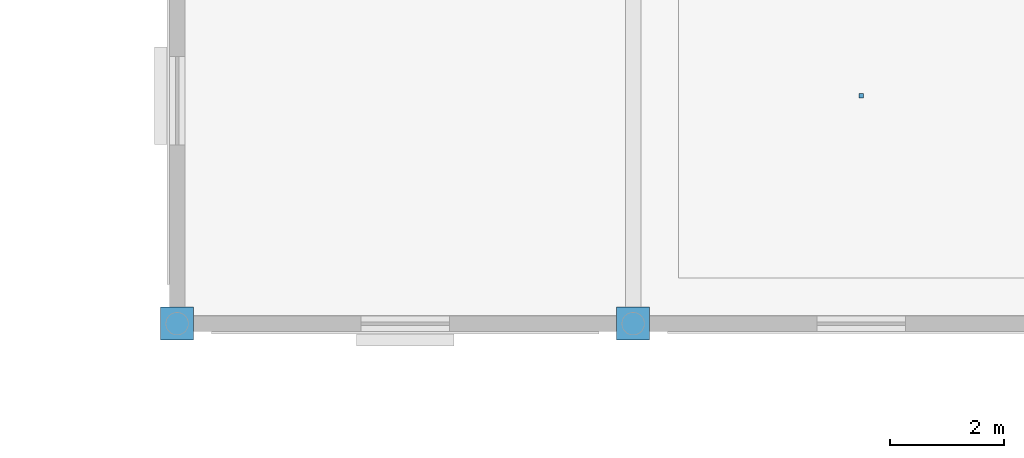
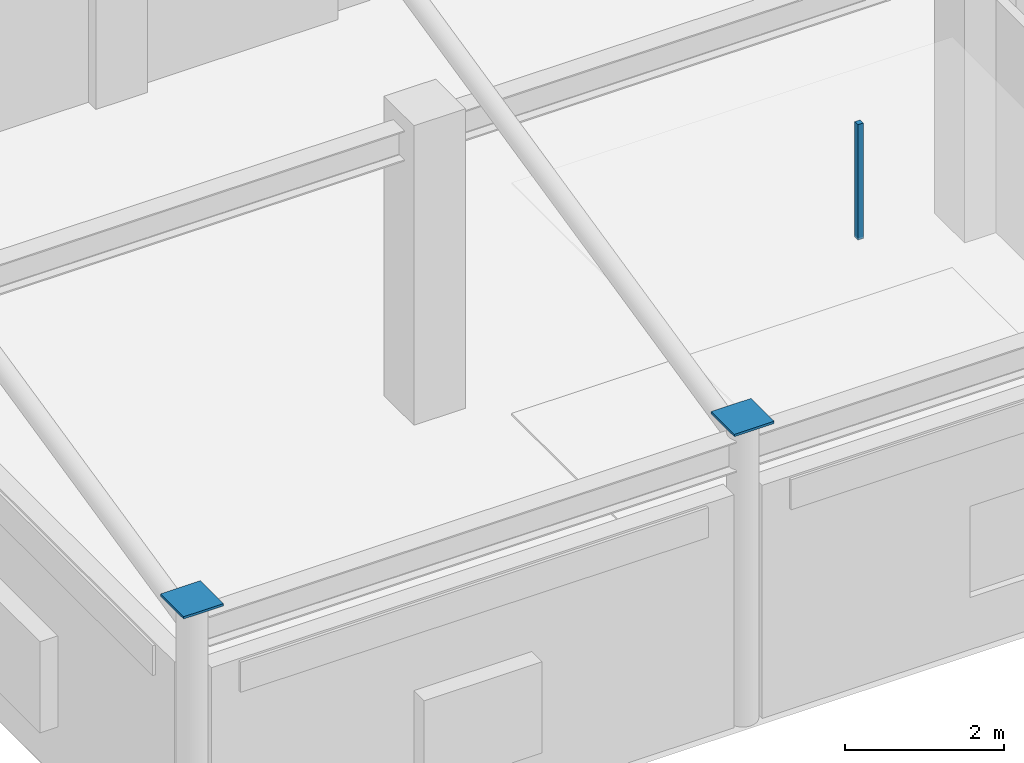
# One storey, part 14 of 16: 3 discrete accessories.
"""IFC4 building model written with IfcOpenShell, lengths in metres."""

from ifc_helpers import new_model, si_unit, direction, frame, origin, origin_2d, place, context, subcontext, project, spatial, rectangle, extrude, material, layer, layer_set, type_object, element, save


model = new_model("IFC4")

# Units and contexts
model_context = context("Model", 3, precision=1e-05, world=origin(), true_north=direction((0.0, 1.0)))
body_context = subcontext(model_context, "Body", "Model", "MODEL_VIEW")
ifc_project = project(units=[si_unit("LENGTHUNIT", "METRE"), si_unit("AREAUNIT", "SQUARE_METRE"), si_unit("VOLUMEUNIT", "CUBIC_METRE"), si_unit("PLANEANGLEUNIT", "RADIAN"), si_unit("MASSUNIT", "GRAM", prefix="KILO")], contexts=[model_context])

# Site, building, storey
site_placement = place(None, origin())
site = spatial("IfcSite", under=ifc_project, at=site_placement, CompositionType="ELEMENT")
building_placement = place(site_placement, origin())
building = spatial("IfcBuilding", under=site, at=building_placement, Name="Solmirada Galleria", CompositionType="ELEMENT")
storey_placement = place(building_placement, frame((0.0, 0.0, 32.89990234375)))
storey = spatial("IfcBuildingStorey", under=building, at=storey_placement, Name="L07", CompositionType="ELEMENT", Elevation=32.89990234375)

# Discrete accessories
ifc_material_1 = material(Name="Steel S355 / ASTM A992 Grade 50", Category="steel")
discrete_accessory_type_1 = type_object("IfcDiscreteAccessoryType", Name="ACC-CEIL-HANGER", PredefinedType="BRACKET", material=ifc_material_1)
discrete_accessory_placement = place(storey_placement, frame((140.0, 92.0, 3.550048828125), z_axis=(0.0, 0.0, 1.0), x_axis=(1.0, 0.0, 0.0)))
element("IfcDiscreteAccessory", 1, at=discrete_accessory_placement, inside=storey, type_object=discrete_accessory_type_1, Name="Ceiling suspension hanger L07-3", PredefinedType="BRACKET", context=body_context, shape_type="SweptSolid", body=[
    extrude(rectangle(XDim=0.080078125, YDim=0.080078125, at=origin_2d()), origin(), (0.0, 0.0, 1.0), 1.77001953125),
])
ifc_material_2 = material(Name="Steel S355 / ASTM A572 Grade 50", Category="steel")
ifc_layer = layer(ifc_material_2, 0.031982421875)
ifc_layer_set = layer_set([ifc_layer], Name="Steel S355 / ASTM A572 Grade 50")
discrete_accessory_type_2 = type_object("IfcDiscreteAccessoryType", Name="ACC-COL-CAP", PredefinedType="BRACKET", material=ifc_layer_set)
for number, where, z_axis, x_axis, name in (
    (2, (128.0, 88.0, 4.59423828125), (0.0, 0.0, 1.0), (1.0, 0.0, 0.0), "Hollow column cap plate L07-1067"),
    (3, (136.0, 88.0, 4.59423828125), (0.0, 0.0, 1.0), (1.0, 0.0, 0.0), "Hollow column cap plate L07-1168"),
):
    element("IfcDiscreteAccessory", number, at=place(storey_placement, frame(where, z_axis=z_axis, x_axis=x_axis)), inside=storey, type_object=discrete_accessory_type_2, Name=name, PredefinedType="BRACKET", context=body_context, shape_type="SweptSolid", body=[
        extrude(rectangle(XDim=0.580078125, YDim=0.580078125, at=origin_2d()), origin(), (0.0, 0.0, 1.0), 0.035888671875),
    ])

save(model, "model.ifc")
